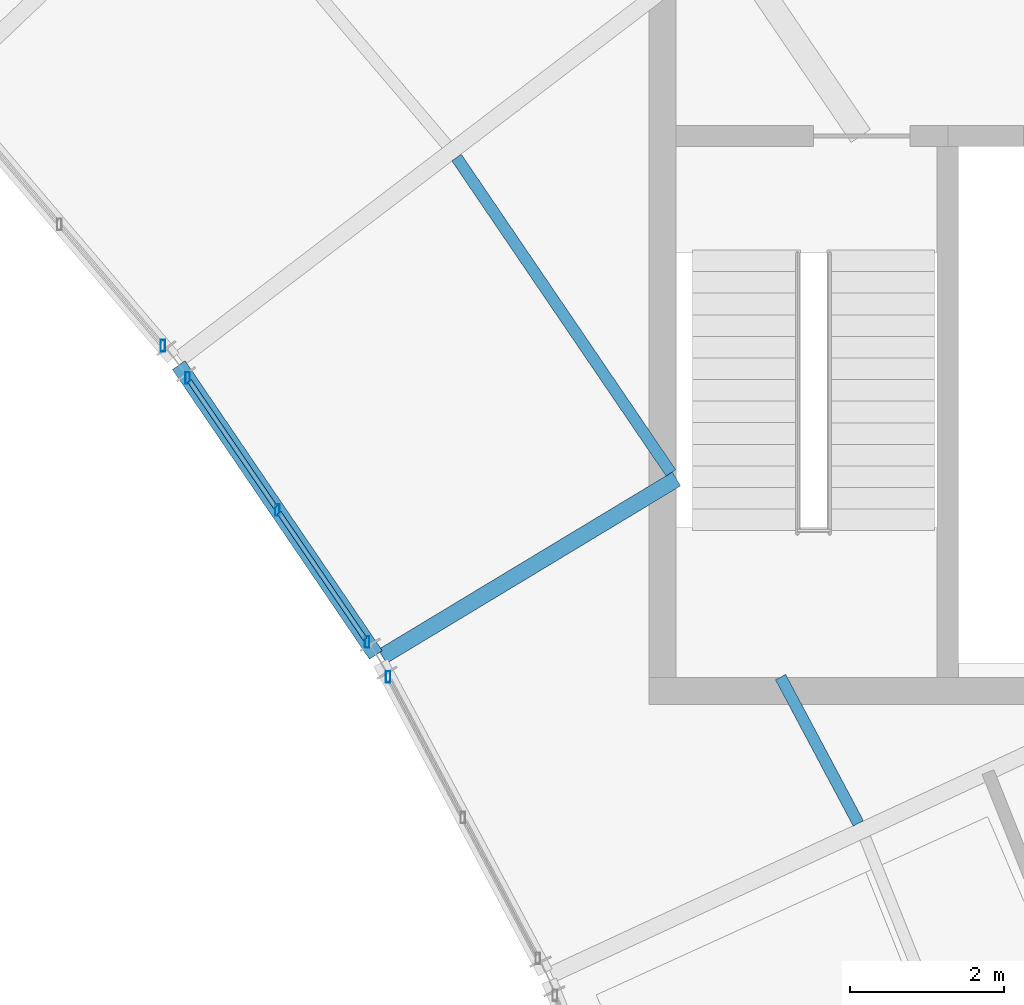
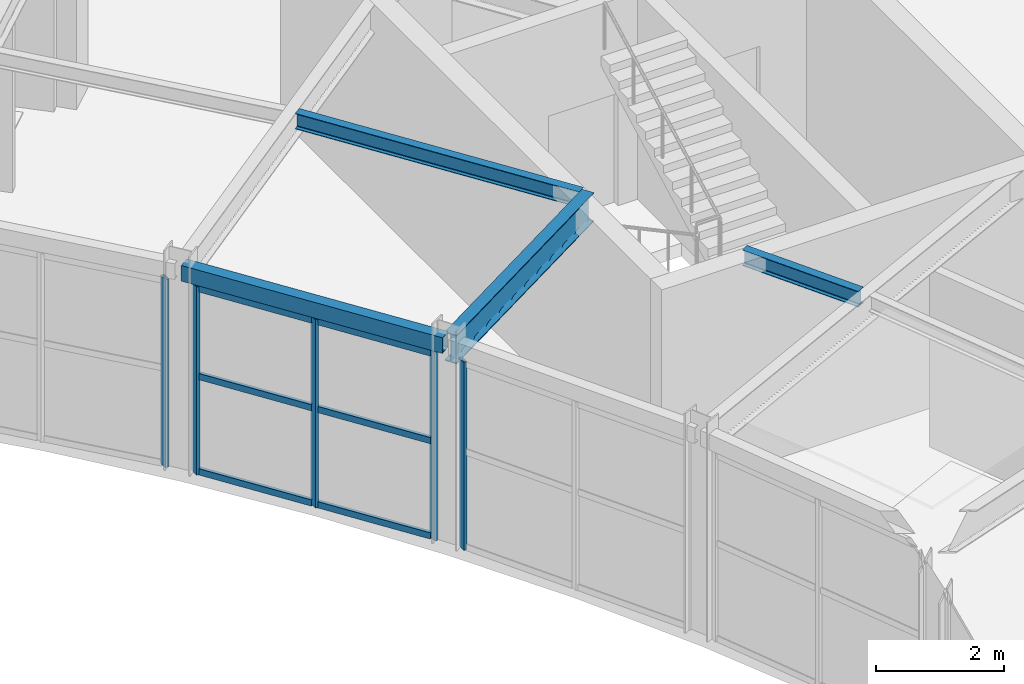
# One storey, part 36 of 63: 11 members, 4 beams, 3 elements without a shape of their own.
"""IFC4 building model written with IfcOpenShell, lengths in metres."""

from ifc_helpers import new_model, si_unit, direction, frame, origin, origin_2d, place, context, subcontext, project, spatial, hollow_rectangle, i_section, extrude, material, material_profile, profile_set, type_object, element, aggregate, save


model = new_model("IFC4")

# Units and contexts
model_context = context("Model", 3, precision=1e-05, world=origin(), true_north=direction((0.0, 1.0)))
body_context = subcontext(model_context, "Body", "Model", "MODEL_VIEW")
ifc_project = project(units=[si_unit("LENGTHUNIT", "METRE"), si_unit("AREAUNIT", "SQUARE_METRE"), si_unit("VOLUMEUNIT", "CUBIC_METRE"), si_unit("PLANEANGLEUNIT", "RADIAN"), si_unit("MASSUNIT", "GRAM", prefix="KILO")], contexts=[model_context])

# Site, building, storey
site_placement = place(None, origin())
site = spatial("IfcSite", under=ifc_project, at=site_placement, CompositionType="ELEMENT")
building_placement = place(site_placement, origin())
building = spatial("IfcBuilding", under=site, at=building_placement, Name="Tarnveldt Headland Concert Hall", CompositionType="ELEMENT")
storey_placement = place(building_placement, frame((0.0, 0.0, 14.39990234375)))
storey = spatial("IfcBuildingStorey", under=building, at=storey_placement, Name="L03", CompositionType="ELEMENT", Elevation=14.39990234375)

# Curtain wall, member
ifc_material_1 = material(Name="Marine-anodised aluminium EN AW-6063-T6", Category="aluminium")
curtain_wall_type = type_object("IfcCurtainWallType", Name="CW-C4", PredefinedType="NOTDEFINED", material=ifc_material_1)
curtain_wall_1_placement = place(storey_placement, origin())
curtain_wall_1 = element("IfcCurtainWall", 1, at=curtain_wall_1_placement, inside=storey, type_object=curtain_wall_type, Name="Curtain wall CW-L03-142", PredefinedType="NOTDEFINED")
ifc_material_profile_1 = material_profile(ifc_material_1, hollow_rectangle(XDim=0.06005859375, YDim=0.14990234375, WallThickness=0.00390625, at=origin_2d()), Name="ALU MULLION 60x150x4", Category="aluminium")
ifc_profile_set_1 = profile_set([ifc_material_profile_1], Name="Marine-anodised aluminium EN AW-6063-T6")
member_type_1 = type_object("IfcMemberType", Name="ML-150", PredefinedType="MULLION", material=ifc_profile_set_1)
member_1_placement = place(storey_placement, frame((154.439697265625, 81.984130859375, 0.0), z_axis=(0.0, 0.0, 1.0), x_axis=(1.0, 0.0, 0.0)))
member_1 = element("IfcMember", 2, at=member_1_placement, type_object=member_type_1, Name="Mullion CW-L03-142-3", PredefinedType="MULLION", context=body_context, shape_type="SweptSolid", body=[
    extrude(hollow_rectangle(XDim=0.06005859375, YDim=0.14990234375, WallThickness=0.00390625, at=origin_2d()), origin(), (0.0, 0.0, 1.0), 3.60009765625),
])
aggregate(curtain_wall_1, [member_1])

# Curtain wall, members
curtain_wall_2_placement = place(storey_placement, origin())
curtain_wall_2 = element("IfcCurtainWall", 3, at=curtain_wall_2_placement, inside=storey, type_object=curtain_wall_type, Name="Curtain wall CW-L03-143", PredefinedType="NOTDEFINED")
member_2_placement = place(storey_placement, frame((154.166259765625, 82.437255859375, 0.0), z_axis=(0.0, 0.0, 1.0), x_axis=(1.0, 0.0, 0.0)))
member_2 = element("IfcMember", 4, at=member_2_placement, type_object=member_type_1, Name="Mullion CW-L03-143-1", PredefinedType="MULLION", context=body_context, shape_type="SweptSolid", body=[
    extrude(hollow_rectangle(XDim=0.06005859375, YDim=0.14990234375, WallThickness=0.00390625, at=origin_2d()), origin(), (0.0, 0.0, 1.0), 3.60009765625),
])
member_3_placement = place(storey_placement, frame((153.002685546875, 84.147705078125, 0.0), z_axis=(0.0, 0.0, 1.0), x_axis=(1.0, 0.0, 0.0)))
member_3 = element("IfcMember", 5, at=member_3_placement, type_object=member_type_1, Name="Mullion CW-L03-143-2", PredefinedType="MULLION", context=body_context, shape_type="SweptSolid", body=[
    extrude(hollow_rectangle(XDim=0.06005859375, YDim=0.14990234375, WallThickness=0.00390625, at=origin_2d()), origin(), (0.0, 0.0, 1.0), 3.60009765625),
])
member_4_placement = place(storey_placement, frame((151.839111328125, 85.8583984375, 0.0), z_axis=(0.0, 0.0, 1.0), x_axis=(1.0, 0.0, 0.0)))
member_4 = element("IfcMember", 6, at=member_4_placement, type_object=member_type_1, Name="Mullion CW-L03-143-3", PredefinedType="MULLION", context=body_context, shape_type="SweptSolid", body=[
    extrude(hollow_rectangle(XDim=0.06005859375, YDim=0.14990234375, WallThickness=0.00390625, at=origin_2d()), origin(), (0.0, 0.0, 1.0), 3.60009765625),
])

# Curtain wall, member
curtain_wall_3_placement = place(storey_placement, origin())
curtain_wall_3 = element("IfcCurtainWall", 7, at=curtain_wall_3_placement, inside=storey, type_object=curtain_wall_type, Name="Curtain wall CW-L03-144", PredefinedType="NOTDEFINED")
member_5_placement = place(storey_placement, frame((151.518310546875, 86.279052734375, 0.0), z_axis=(0.0, 0.0, 1.0), x_axis=(1.0, 0.0, 0.0)))
member_5 = element("IfcMember", 8, at=member_5_placement, type_object=member_type_1, Name="Mullion CW-L03-144-1", PredefinedType="MULLION", context=body_context, shape_type="SweptSolid", body=[
    extrude(hollow_rectangle(XDim=0.06005859375, YDim=0.14990234375, WallThickness=0.00390625, at=origin_2d()), origin(), (0.0, 0.0, 1.0), 3.60009765625),
])
aggregate(curtain_wall_3, [member_5])

# Beams
ifc_material_2 = material(Name="Steel S355", Category="steel")
ifc_material_profile_2 = material_profile(ifc_material_2, i_section(OverallWidth=0.14990234375, OverallDepth=0.300048828125, WebThickness=0.007080078125, FlangeThickness=0.0107421875, FilletRadius=0.014892578125, at=origin_2d()), Name="IPE300", Category="steel")
ifc_profile_set_2 = profile_set([ifc_material_profile_2], Name="Steel S355")
beam_type_1 = type_object("IfcBeamType", Name="SB-IPE300", PredefinedType="JOIST", material=ifc_profile_set_2)
beam_1_placement = place(storey_placement, frame((160.539306640625, 80.08349609375, 3.81005859375), z_axis=(-0.469531916637, 0.882915499501, 0.0), x_axis=(-0.882915499501, -0.469531916637, 0.0)))
element("IfcBeam", 9, at=beam_1_placement, inside=storey, type_object=beam_type_1, Name="Framing beam L03-1299", PredefinedType="JOIST", context=body_context, shape_type="SweptSolid", body=[
    extrude(i_section(OverallWidth=0.14990234375, OverallDepth=0.300048828125, WebThickness=0.007080078125, FlangeThickness=0.0107421875, FilletRadius=0.014892578125, at=origin_2d()), origin(), (0.0, 0.0, 1.0), 2.14794921875),
])
beam_2_placement = place(storey_placement, frame((158.10888671875, 84.6298828125, 3.81005859375), z_axis=(-0.562388329388, 0.82687324722, 0.0), x_axis=(-0.82687324722, -0.562388329388, 0.0)))
element("IfcBeam", 10, at=beam_2_placement, inside=storey, type_object=beam_type_1, Name="Framing beam L03-1306", PredefinedType="JOIST", context=body_context, shape_type="SweptSolid", body=[
    extrude(i_section(OverallWidth=0.14990234375, OverallDepth=0.300048828125, WebThickness=0.007080078125, FlangeThickness=0.0107421875, FilletRadius=0.014892578125, at=origin_2d()), origin(), (0.0, 0.0, 1.0), 4.94580078125),
])
ifc_material_profile_3 = material_profile(ifc_material_2, i_section(OverallWidth=0.2099609375, OverallDepth=0.550048828125, WebThickness=0.010986328125, FlangeThickness=0.01708984375, FilletRadius=0.02392578125, at=origin_2d()), Name="IPE550", Category="steel")
ifc_profile_set_3 = profile_set([ifc_material_profile_3], Name="Steel S355")
beam_type_2 = type_object("IfcBeamType", Name="SB-IPE550", PredefinedType="BEAM", material=ifc_profile_set_3)
beam_3_placement = place(storey_placement, frame((154.36669921875, 82.2490234375, 3.68505859375), z_axis=(0.856145433593, 0.516734938375, 0.0), x_axis=(-0.516734938375, 0.856145433593, 0.0)))
element("IfcBeam", 11, at=beam_3_placement, inside=storey, type_object=beam_type_2, Name="Framing beam L03-1301", PredefinedType="BEAM", context=body_context, shape_type="SweptSolid", body=[
    extrude(i_section(OverallWidth=0.2099609375, OverallDepth=0.550048828125, WebThickness=0.010986328125, FlangeThickness=0.01708984375, FilletRadius=0.02392578125, at=origin_2d()), origin(), (0.0, 0.0, 1.0), 4.453857421875),
])
ifc_material_profile_4 = material_profile(ifc_material_2, hollow_rectangle(XDim=0.199951171875, YDim=0.300048828125, WallThickness=0.012451171875, at=origin_2d()), Name="RHS 300x200x12.5", Category="steel")
ifc_profile_set_4 = profile_set([ifc_material_profile_4], Name="Steel S355")
beam_type_3 = type_object("IfcBeamType", Name="SB-RHS300", PredefinedType="SPANDREL", material=ifc_profile_set_4)
beam_4_placement = place(storey_placement, frame((154.281494140625, 82.267578125, 3.81005859375), z_axis=(-0.562406932975, 0.826860593898, 0.0), x_axis=(-0.826860593898, -0.562406932975, 0.0)))
element("IfcBeam", 12, at=beam_4_placement, inside=storey, type_object=beam_type_3, Name="Framing beam L03-1303", PredefinedType="SPANDREL", context=body_context, shape_type="SweptSolid", body=[
    extrude(hollow_rectangle(XDim=0.199951171875, YDim=0.300048828125, WallThickness=0.012451171875, at=origin_2d()), origin(), (0.0, 0.0, 1.0), 4.547607421875),
])

# Member
ifc_material_profile_5 = material_profile(ifc_material_1, hollow_rectangle(XDim=0.06005859375, YDim=0.1201171875, WallThickness=0.00390625, at=origin_2d()), Name="ALU TRANSOM 60x120x4", Category="aluminium")
ifc_profile_set_5 = profile_set([ifc_material_profile_5], Name="Marine-anodised aluminium EN AW-6063-T6")
member_type_2 = type_object("IfcMemberType", Name="TR-110", PredefinedType="MEMBER", material=ifc_profile_set_5)
member_6_placement = place(storey_placement, frame((154.142578125, 82.471923828125, 0.050048828125), z_axis=(-0.562397497363, 0.826867011653, 0.0), x_axis=(-0.826867011653, -0.562397497363, 0.0)))
member_6 = element("IfcMember", 13, at=member_6_placement, type_object=member_type_2, Name="Transom CW-L03-143-1-1", PredefinedType="MEMBER", context=body_context, shape_type="SweptSolid", body=[
    extrude(hollow_rectangle(XDim=0.06005859375, YDim=0.1201171875, WallThickness=0.00390625, at=origin_2d()), origin(), (0.0, 0.0, 1.0), 1.984619140625),
])

member_7_placement = place(storey_placement, frame((154.142578125, 82.471923828125, 1.8720703125), z_axis=(-0.562397497363, 0.826867011653, 0.0), x_axis=(-0.826867011653, -0.562397497363, 0.0)))
member_7 = element("IfcMember", 14, at=member_7_placement, type_object=member_type_2, Name="Transom CW-L03-143-1-2", PredefinedType="MEMBER", context=body_context, shape_type="SweptSolid", body=[
    extrude(hollow_rectangle(XDim=0.06005859375, YDim=0.1201171875, WallThickness=0.00390625, at=origin_2d()), origin(), (0.0, 0.0, 1.0), 1.984619140625),
])

member_8_placement = place(storey_placement, frame((154.142578125, 82.471923828125, 3.550048828125), z_axis=(-0.562397497363, 0.826867011653, 0.0), x_axis=(-0.826867011653, -0.562397497363, 0.0)))
member_8 = element("IfcMember", 15, at=member_8_placement, type_object=member_type_2, Name="Transom CW-L03-143-1-3", PredefinedType="MEMBER", context=body_context, shape_type="SweptSolid", body=[
    extrude(hollow_rectangle(XDim=0.06005859375, YDim=0.1201171875, WallThickness=0.00390625, at=origin_2d()), origin(), (0.0, 0.0, 1.0), 1.984619140625),
])

member_9_placement = place(storey_placement, frame((152.97900390625, 84.1826171875, 0.050048828125), z_axis=(-0.562454704493, 0.826828099059, 0.0), x_axis=(-0.826828099059, -0.562454704493, 0.0)))
member_9 = element("IfcMember", 16, at=member_9_placement, type_object=member_type_2, Name="Transom CW-L03-143-2-1", PredefinedType="MEMBER", context=body_context, shape_type="SweptSolid", body=[
    extrude(hollow_rectangle(XDim=0.06005859375, YDim=0.1201171875, WallThickness=0.00390625, at=origin_2d()), origin(), (0.0, 0.0, 1.0), 1.984619140625),
])

member_10_placement = place(storey_placement, frame((152.97900390625, 84.1826171875, 1.8720703125), z_axis=(-0.562454704493, 0.826828099059, 0.0), x_axis=(-0.826828099059, -0.562454704493, 0.0)))
member_10 = element("IfcMember", 17, at=member_10_placement, type_object=member_type_2, Name="Transom CW-L03-143-2-2", PredefinedType="MEMBER", context=body_context, shape_type="SweptSolid", body=[
    extrude(hollow_rectangle(XDim=0.06005859375, YDim=0.1201171875, WallThickness=0.00390625, at=origin_2d()), origin(), (0.0, 0.0, 1.0), 1.984619140625),
])

member_11_placement = place(storey_placement, frame((152.97900390625, 84.1826171875, 3.550048828125), z_axis=(-0.562454704493, 0.826828099059, 0.0), x_axis=(-0.826828099059, -0.562454704493, 0.0)))
member_11 = element("IfcMember", 18, at=member_11_placement, type_object=member_type_2, Name="Transom CW-L03-143-2-3", PredefinedType="MEMBER", context=body_context, shape_type="SweptSolid", body=[
    extrude(hollow_rectangle(XDim=0.06005859375, YDim=0.1201171875, WallThickness=0.00390625, at=origin_2d()), origin(), (0.0, 0.0, 1.0), 1.984619140625),
])

aggregate(curtain_wall_2, [member_2, member_3, member_4, member_6, member_7, member_8, member_9, member_10, member_11])

save(model, "model.ifc")
